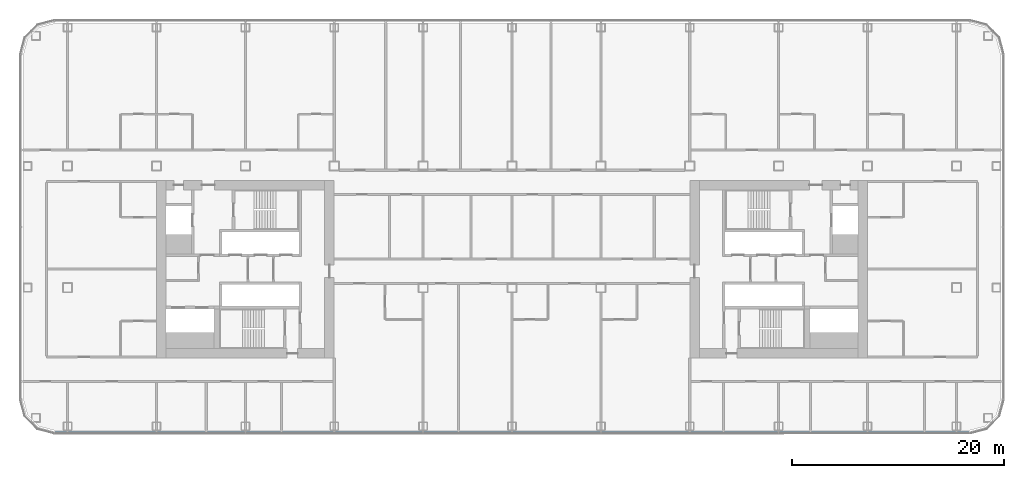
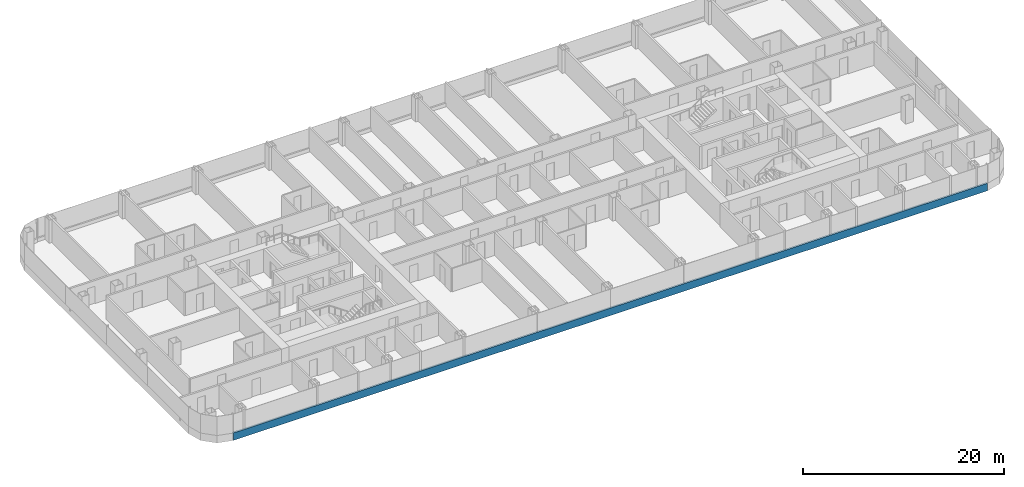
# One storey, part 5 of 29: 1 member, 1 element without a shape of its own.
"""IFC4 building model written with IfcOpenShell, lengths in metres."""

from ifc_helpers import new_model, si_unit, direction, frame, origin, origin_2d, place, context, subcontext, project, spatial, rectangle, extrude, material, layer, layer_set, material_profile, profile_set, type_object, element, aggregate, save


model = new_model("IFC4")

# Units and contexts
model_context = context("Model", 3, precision=1e-05, world=origin(), true_north=direction((0.0, 1.0)))
body_context = subcontext(model_context, "Body", "Model", "MODEL_VIEW")
ifc_project = project(units=[si_unit("LENGTHUNIT", "METRE"), si_unit("AREAUNIT", "SQUARE_METRE"), si_unit("VOLUMEUNIT", "CUBIC_METRE"), si_unit("PLANEANGLEUNIT", "RADIAN"), si_unit("MASSUNIT", "GRAM", prefix="KILO")], contexts=[model_context])

# Site, building, storey
site_placement = place(None, origin())
site = spatial("IfcSite", under=ifc_project, at=site_placement, CompositionType="ELEMENT")
building_placement = place(site_placement, origin())
building = spatial("IfcBuilding", under=site, at=building_placement, Name="Hakoniwa Tower and Hamabe Station Hall", CompositionType="ELEMENT")
storey_placement = place(building_placement, frame((0.0, 0.0, 75.39990234375)))
storey = spatial("IfcBuildingStorey", under=building, at=storey_placement, Name="L20", CompositionType="ELEMENT", Elevation=75.39990234375)

# Curtain wall, member
ifc_material_1 = material(Name="Dark low-e laminated glass", Category="glass")
ifc_layer = layer(ifc_material_1, 0.199951171875)
ifc_layer_set = layer_set([ifc_layer], Name="CW-1 UNITISED GUEST")
curtain_wall_type = type_object("IfcCurtainWallType", Name="CW-1 UNITISED GUEST", PredefinedType="NOTDEFINED", material=ifc_layer_set)
curtain_wall_placement = place(storey_placement, origin())
curtain_wall = element("IfcCurtainWall", 1, at=curtain_wall_placement, inside=storey, type_object=curtain_wall_type, Name="CW-1 curtain wall", PredefinedType="NOTDEFINED")
ifc_material_2 = material(Name="Aluminium 6063-T5 black anodised", Category="aluminium")
ifc_material_profile = material_profile(ifc_material_2, rectangle(XDim=0.199951171875, YDim=0.89990234375, at=origin_2d()), Name="CW SLAB-EDGE BAND 900X200")
ifc_profile_set = profile_set([ifc_material_profile], Name="Aluminium 6063-T5 black anodised")
member_type = type_object("IfcMemberType", Name="CW SLAB-EDGE BAND 900X200", PredefinedType="USERDEFINED", material=ifc_profile_set)
member_placement = place(storey_placement, frame((-43.239501953125, -15.449951171875, -0.099853515625), z_axis=(1.0, 0.0, 0.0), x_axis=(0.0, 1.0, 0.0)))
member = element("IfcMember", 2, at=member_placement, type_object=member_type, Name="CW-1 transom", ObjectType="TRANSOM", PredefinedType="USERDEFINED", context=body_context, shape_type="SweptSolid", body=[
    extrude(rectangle(XDim=0.199951171875, YDim=0.89990234375, at=origin_2d()), origin(), (0.0, 0.0, 1.0), 86.47900390625),
])
aggregate(curtain_wall, [member])

save(model, "model.ifc")
